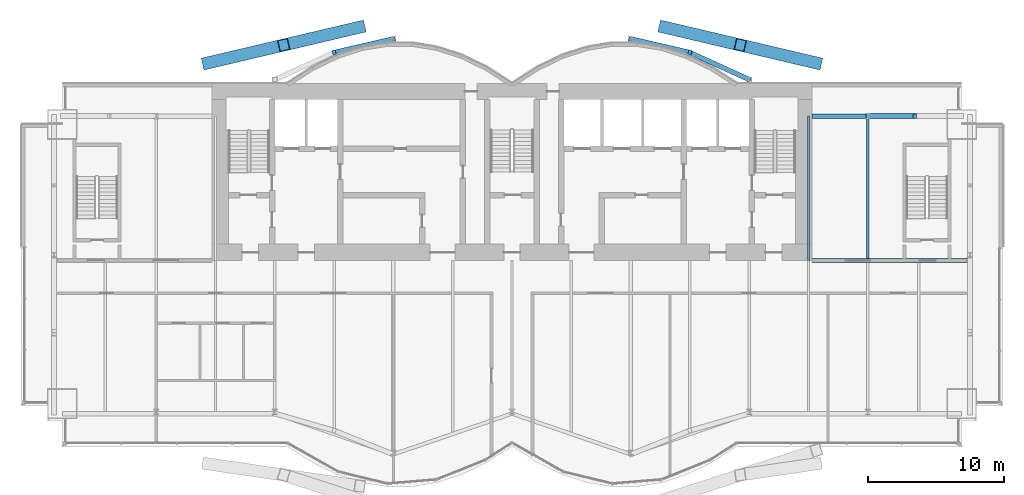
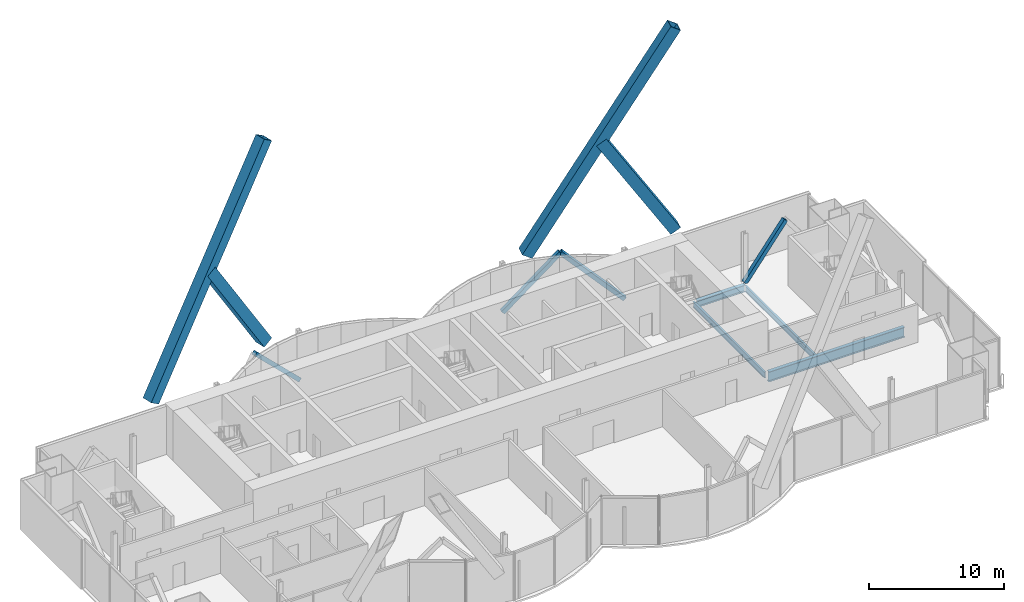
# One storey, part 11 of 20: 8 members, 4 beams.
"""IFC4 building model written with IfcOpenShell, lengths in metres."""

from ifc_helpers import new_model, si_unit, direction, frame, origin, origin_2d, place, context, subcontext, project, spatial, hollow_rectangle, i_section, extrude, material, material_profile, profile_set, type_object, element, save


model = new_model("IFC4")

# Units and contexts
model_context = context("Model", 3, precision=1e-05, world=origin(), true_north=direction((0.0, 1.0)))
body_context = subcontext(model_context, "Body", "Model", "MODEL_VIEW")
ifc_project = project(units=[si_unit("LENGTHUNIT", "METRE"), si_unit("AREAUNIT", "SQUARE_METRE"), si_unit("VOLUMEUNIT", "CUBIC_METRE"), si_unit("PLANEANGLEUNIT", "RADIAN"), si_unit("MASSUNIT", "GRAM", prefix="KILO")], contexts=[model_context])

# Site, building, storey
site_placement = place(None, origin())
site = spatial("IfcSite", under=ifc_project, at=site_placement, CompositionType="ELEMENT")
building_placement = place(site_placement, origin())
building = spatial("IfcBuilding", under=site, at=building_placement, Name="Bicima Exchange Tower", CompositionType="ELEMENT")
storey_placement = place(building_placement, frame((0.0, 0.0, 306.5)))
storey = spatial("IfcBuildingStorey", under=building, at=storey_placement, Name="L69", CompositionType="ELEMENT", Elevation=306.5)

# Beam
ifc_material_1 = material(Name="Steel ASTM A992 Gr 50", Category="steel")
ifc_material_profile_1 = material_profile(ifc_material_1, i_section(OverallWidth=0.3046875, OverallDepth=0.911865234375, WebThickness=0.015869140625, FlangeThickness=0.02392578125, at=origin_2d()))
ifc_profile_set_1 = profile_set([ifc_material_profile_1], Name="Steel ASTM A992 Gr 50")
beam_type_1 = type_object("IfcBeamType", Name="Core-line girder W36x150", PredefinedType="BEAM", material=ifc_profile_set_1)
beam_1_placement = place(storey_placement, frame((22.0, -13.0, -0.60595703125), z_axis=(1.0, 0.0, 0.0), x_axis=(0.0, 1.0, 0.0)))
element("IfcBeam", 1, at=beam_1_placement, inside=storey, type_object=beam_type_1, Name="Core-line girder", PredefinedType="BEAM", context=body_context, shape_type="SweptSolid", body=[
    extrude(i_section(OverallWidth=0.3046875, OverallDepth=0.911865234375, WebThickness=0.015869140625, FlangeThickness=0.02392578125, at=origin_2d()), origin(), (0.0, 0.0, 1.0), 11.60009765625),
])

# Members
ifc_material_2 = material(Name="Steel ASTM A572 Gr 50", Category="steel")
ifc_material_profile_2 = material_profile(ifc_material_2, hollow_rectangle(XDim=0.89990234375, YDim=0.89990234375, WallThickness=0.050048828125, at=origin_2d()))
ifc_profile_set_2 = profile_set([ifc_material_profile_2], Name="Steel ASTM A572 Gr 50")
member_type_1 = type_object("IfcMemberType", Name="Exo mega brace BOX 900x900x50", PredefinedType="BRACE", material=ifc_profile_set_2)
for number, where, z_axis, x_axis, name in (
    (2, (-22.333251953125, 1.5, 3.88330078125), (0.517352760779, 0.121618279853, 0.847086249989), (-0.228840031766, 0.973464041381, 0.0), "Exo mega brace rear"),
    (3, (11.166748046875, 4.125, 3.88330078125), (0.517352760779, -0.121618279853, 0.847086249989), (0.228840031766, 0.973464041381, 0.0), "Exo mega brace rear"),
):
    element("IfcMember", number, at=place(storey_placement, frame(where, z_axis=z_axis, x_axis=x_axis)), inside=storey, type_object=member_type_1, Name=name, PredefinedType="BRACE", context=body_context, shape_type="SweptSolid", body=[
        extrude(hollow_rectangle(XDim=0.89990234375, YDim=0.89990234375, WallThickness=0.050048828125, at=origin_2d()), origin(), (0.0, 0.0, 1.0), 21.583984375),
    ])
for number, where, z_axis, x_axis, name in (
    (4, (-11.166748046875, 4.125, 3.88330078125), (-0.517357717875, -0.121619445157, 0.847083055145), (0.228840031766, -0.973464041381, 0.0), "Exo mega brace rear"),
    (5, (22.333251953125, 1.5, 3.88330078125), (-0.517357717875, 0.121619445157, 0.847083055145), (-0.228840031766, -0.973464041381, 0.0), "Exo mega brace rear"),
):
    element("IfcMember", number, at=place(storey_placement, frame(where, z_axis=z_axis, x_axis=x_axis)), inside=storey, type_object=member_type_1, Name=name, PredefinedType="BRACE", context=body_context, shape_type="SweptSolid", body=[
        extrude(hollow_rectangle(XDim=0.89990234375, YDim=0.89990234375, WallThickness=0.050048828125, at=origin_2d()), origin(), (0.0, 0.0, 1.0), 10.791748046875),
    ])

# Beams
ifc_material_profile_3 = material_profile(ifc_material_1, i_section(OverallWidth=0.165771484375, OverallDepth=0.5283203125, WebThickness=0.009765625, FlangeThickness=0.013671875, at=origin_2d()))
ifc_profile_set_3 = profile_set([ifc_material_profile_3], Name="Steel ASTM A992 Gr 50")
beam_type_2 = type_object("IfcBeamType", Name="Floor beam W21x50", PredefinedType="JOIST", material=ifc_profile_set_3)
beam_2_placement = place(storey_placement, frame((21.75, -2.39990234375, -0.414306640625), z_axis=(0.0, -1.0, 0.0), x_axis=(1.0, 0.0, 0.0)))
element("IfcBeam", 6, at=beam_2_placement, inside=storey, type_object=beam_type_2, Name="Floor beam", PredefinedType="JOIST", context=body_context, shape_type="SweptSolid", body=[
    extrude(i_section(OverallWidth=0.165771484375, OverallDepth=0.5283203125, WebThickness=0.009765625, FlangeThickness=0.013671875, at=origin_2d()), origin(), (0.0, 0.0, 1.0), 10.60009765625),
])
beam_3_placement = place(storey_placement, frame((26.10009765625, -2.5625, -0.414306640625), z_axis=(0.0, -1.0, 0.0), x_axis=(1.0, 0.0, 0.0)))
element("IfcBeam", 7, at=beam_3_placement, inside=storey, type_object=beam_type_2, Name="Floor beam", PredefinedType="JOIST", context=body_context, shape_type="SweptSolid", body=[
    extrude(i_section(OverallWidth=0.165771484375, OverallDepth=0.5283203125, WebThickness=0.009765625, FlangeThickness=0.013671875, at=origin_2d()), origin(), (0.0, 0.0, 1.0), 10.28515625),
])

# Members
ifc_material_profile_4 = material_profile(ifc_material_2, hollow_rectangle(XDim=0.355712890625, YDim=0.355712890625, WallThickness=0.01171875, at=origin_2d()))
ifc_profile_set_4 = profile_set([ifc_material_profile_4], Name="Steel ASTM A572 Gr 50")
member_type_2 = type_object("IfcMemberType", Name="Mega brace HSS14x14x1/2", PredefinedType="BRACE", material=ifc_profile_set_4)
for number, where, z_axis, x_axis, name in (
    (8, (-8.699951171875, 3.26904296875, 0.0), (-0.686212303743, -0.158786245837, 0.709858860848), (0.225438503722, -0.974257399787, 0.0), "Mega brace rexo"),
    (9, (8.699951171875, 3.26904296875, 0.0), (0.686212303743, -0.158786245837, 0.709858860848), (0.225438503722, 0.974257399787, 0.0), "Mega brace rexo"),
):
    element("IfcMember", number, at=place(storey_placement, frame(where, z_axis=z_axis, x_axis=x_axis)), inside=storey, type_object=member_type_2, Name=name, PredefinedType="BRACE", context=body_context, shape_type="SweptSolid", body=[
        extrude(hollow_rectangle(XDim=0.355712890625, YDim=0.355712890625, WallThickness=0.01171875, at=origin_2d()), origin(), (0.0, 0.0, 1.0), 6.33935546875),
    ])
member_1_placement = place(storey_placement, frame((17.39990234375, 0.278076171875, 0.0), z_axis=(-0.662507516739, 0.302231638101, 0.685375683254), x_axis=(-0.415045223819, -0.909800781592, 0.0)))
element("IfcMember", 10, at=member_1_placement, inside=storey, type_object=member_type_2, Name="Mega brace rexo", PredefinedType="BRACE", context=body_context, shape_type="SweptSolid", body=[
    extrude(hollow_rectangle(XDim=0.355712890625, YDim=0.355712890625, WallThickness=0.01171875, at=origin_2d()), origin(), (0.0, 0.0, 1.0), 6.565673828125),
])
member_2_placement = place(storey_placement, frame((26.10009765625, -2.39990234375, 0.0), z_axis=(0.608426120198, 0.0, 0.793610519248), x_axis=(0.0, 1.0, 0.0)))
element("IfcMember", 11, at=member_2_placement, inside=storey, type_object=member_type_2, Name="Mega brace rear", PredefinedType="BRACE", context=body_context, shape_type="SweptSolid", body=[
    extrude(hollow_rectangle(XDim=0.355712890625, YDim=0.355712890625, WallThickness=0.01171875, at=origin_2d()), origin(), (0.0, 0.0, 1.0), 5.670166015625),
])

# Beam
ifc_material_profile_5 = material_profile(ifc_material_1, i_section(OverallWidth=0.3251953125, OverallDepth=0.612060546875, WebThickness=0.0126953125, FlangeThickness=0.01904296875, at=origin_2d()))
ifc_profile_set_5 = profile_set([ifc_material_profile_5], Name="Steel ASTM A992 Gr 50")
beam_type_3 = type_object("IfcBeamType", Name="Rear girder W24x104", PredefinedType="BEAM", material=ifc_profile_set_5)
beam_4_placement = place(storey_placement, frame((22.0, -2.39990234375, -0.4560546875), z_axis=(1.0, 0.0, 0.0), x_axis=(0.0, 1.0, 0.0)))
element("IfcBeam", 12, at=beam_4_placement, inside=storey, type_object=beam_type_3, Name="Rear girder", PredefinedType="BEAM", context=body_context, shape_type="SweptSolid", body=[
    extrude(i_section(OverallWidth=0.3251953125, OverallDepth=0.612060546875, WebThickness=0.0126953125, FlangeThickness=0.01904296875, at=origin_2d()), origin(), (0.0, 0.0, 1.0), 4.10009765625),
])

save(model, "model.ifc")
